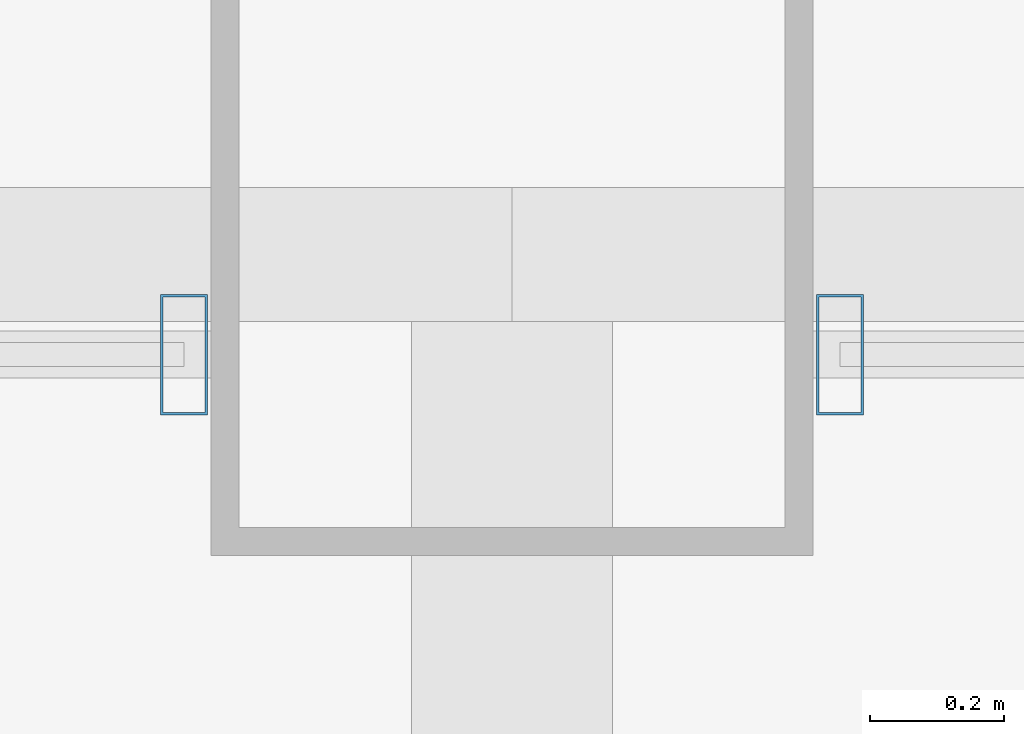
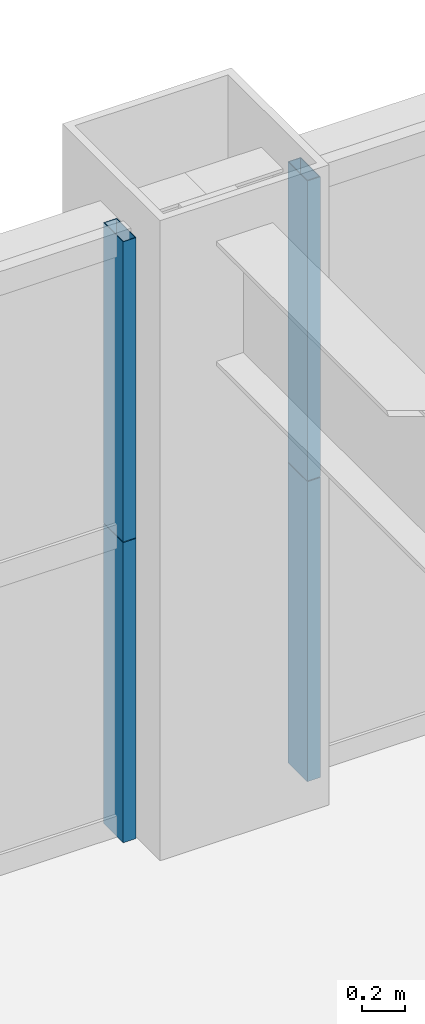
# One storey, part 26 of 38: 4 members, 2 elements without a shape of their own.
"""IFC4 building model written with IfcOpenShell, lengths in metres."""

from ifc_helpers import new_model, si_unit, direction, frame, origin, origin_2d, place, context, subcontext, project, spatial, hollow_rectangle, extrude, source, transform, mapped, material, layer, layer_set, material_profile, profile_set, type_object, element, aggregate, save


model = new_model("IFC4")

# Units and contexts
model_context = context("Model", 3, precision=1e-05, world=origin(), true_north=direction((0.0, 1.0)))
body_context = subcontext(model_context, "Body", "Model", "MODEL_VIEW")
ifc_project = project(units=[si_unit("LENGTHUNIT", "METRE"), si_unit("AREAUNIT", "SQUARE_METRE"), si_unit("VOLUMEUNIT", "CUBIC_METRE"), si_unit("PLANEANGLEUNIT", "RADIAN"), si_unit("MASSUNIT", "GRAM", prefix="KILO"), si_unit("THERMODYNAMICTEMPERATUREUNIT", "KELVIN"), si_unit("POWERUNIT", "WATT")], contexts=[model_context])

# Site, building, storey
site_placement = place(None, origin())
site = spatial("IfcSite", under=ifc_project, at=site_placement, CompositionType="ELEMENT")
building_placement = place(site_placement, origin())
building = spatial("IfcBuilding", under=site, at=building_placement, Name="Yuzanri Waterfront Tower", CompositionType="ELEMENT")
storey_placement = place(building_placement, frame((0.0, 0.0, 97.39990234375)))
storey = spatial("IfcBuildingStorey", under=building, at=storey_placement, Name="L25", CompositionType="ELEMENT", Elevation=97.39990234375)

# Curtain wall, members
ifc_material_1 = material(Name="Anodized Architectural Bronze", Category="metal")
ifc_layer = layer(ifc_material_1, 0.159912109375)
ifc_layer_set = layer_set([ifc_layer], Name="Anodized Architectural Bronze")
curtain_wall_type = type_object("IfcCurtainWallType", Name="Anodized Bronze Hotel Upper-Tier Solar-Control Unitized Curtain Wall 7800", PredefinedType="NOTDEFINED", material=ifc_layer_set)
curtain_wall_1_placement = place(storey_placement, origin())
curtain_wall_1 = element("IfcCurtainWall", 1, at=curtain_wall_1_placement, inside=storey, type_object=curtain_wall_type, Name="L25 Curtain Wall CW-L25-NL", PredefinedType="NOTDEFINED")
ifc_material_2 = material(Name="Anodized Architectural Bronze", Category="metal")
ifc_material_profile = material_profile(ifc_material_2, hollow_rectangle(XDim=0.070068359375, YDim=0.179931640625, WallThickness=0.00390625, at=origin_2d()), Name="CWM 70x180")
ifc_profile_set = profile_set([ifc_material_profile], Name="Anodized Architectural Bronze")
member_type = type_object("IfcMemberType", Name="Anodized Bronze Standard Curtain-Wall Mullion 70x180", PredefinedType="MULLION", material=ifc_profile_set)
shared_shape = source(origin(), body_context, "Body", "SweptSolid", [
    extrude(hollow_rectangle(XDim=0.070068359375, YDim=0.179931640625, WallThickness=0.00390625, at=origin_2d()), origin(), (0.0, 0.0, 1.0), 1.68798828125),
])
member_1_placement = place(storey_placement, frame((36.510009765625, 49.25, 0.0), z_axis=(0.0, 0.0, 1.0), x_axis=(1.0, 0.0, 0.0)))
member_1 = element("IfcMember", 2, at=member_1_placement, type_object=member_type, Name="CW-L25-NL Lower Mullion 02", PredefinedType="MULLION", context=body_context, shape_type="MappedRepresentation", body=[
    mapped(shared_shape, transform((0.0, 0.0, 0.0), scale=1.0)),
])
member_2_placement = place(storey_placement, frame((36.510009765625, 49.25, 1.692138671875), z_axis=(0.0, 0.0, 1.0), x_axis=(1.0, 0.0, 0.0)))
member_2 = element("IfcMember", 3, at=member_2_placement, type_object=member_type, Name="CW-L25-NL Upper Mullion 02", PredefinedType="MULLION", context=body_context, shape_type="MappedRepresentation", body=[
    mapped(shared_shape, transform((0.0, 0.0, 0.0), scale=1.0)),
])
aggregate(curtain_wall_1, [member_1, member_2])

curtain_wall_2_placement = place(storey_placement, origin())
curtain_wall_2 = element("IfcCurtainWall", 4, at=curtain_wall_2_placement, inside=storey, type_object=curtain_wall_type, Name="L25 Curtain Wall CW-L25-NR", PredefinedType="NOTDEFINED")
member_3_placement = place(storey_placement, frame((37.489990234375, 49.25, 0.0), z_axis=(0.0, 0.0, 1.0), x_axis=(1.0, 0.0, 0.0)))
member_3 = element("IfcMember", 5, at=member_3_placement, type_object=member_type, Name="CW-L25-NR Lower Mullion 00", PredefinedType="MULLION", context=body_context, shape_type="MappedRepresentation", body=[
    mapped(shared_shape, transform((0.0, 0.0, 0.0), scale=1.0)),
])
member_4_placement = place(storey_placement, frame((37.489990234375, 49.25, 1.692138671875), z_axis=(0.0, 0.0, 1.0), x_axis=(1.0, 0.0, 0.0)))
member_4 = element("IfcMember", 6, at=member_4_placement, type_object=member_type, Name="CW-L25-NR Upper Mullion 00", PredefinedType="MULLION", context=body_context, shape_type="MappedRepresentation", body=[
    mapped(shared_shape, transform((0.0, 0.0, 0.0), scale=1.0)),
])
aggregate(curtain_wall_2, [member_3, member_4])

save(model, "model.ifc")
